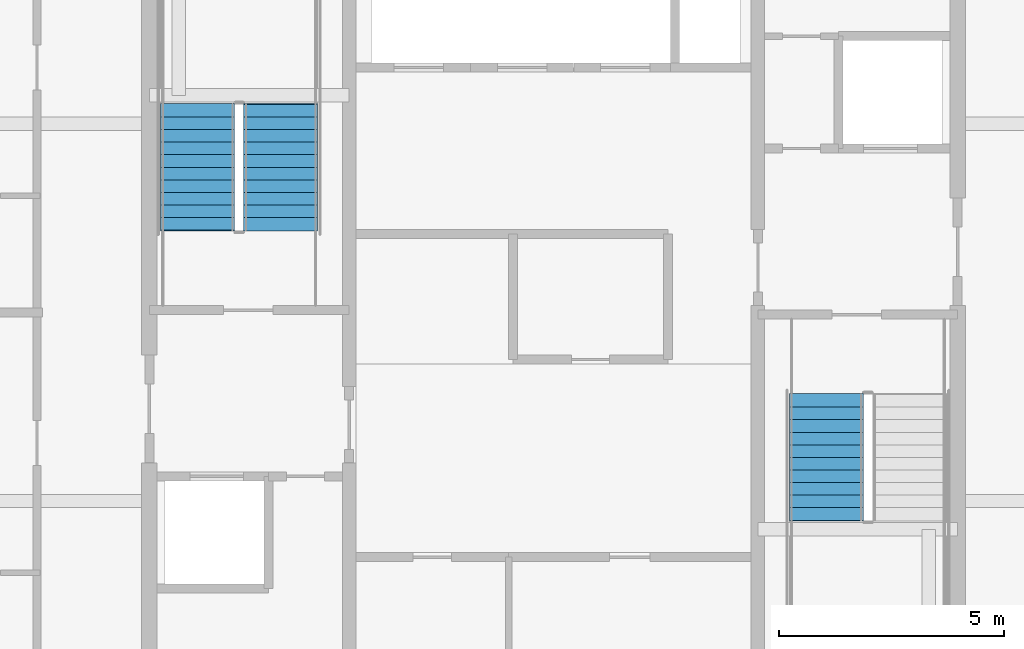
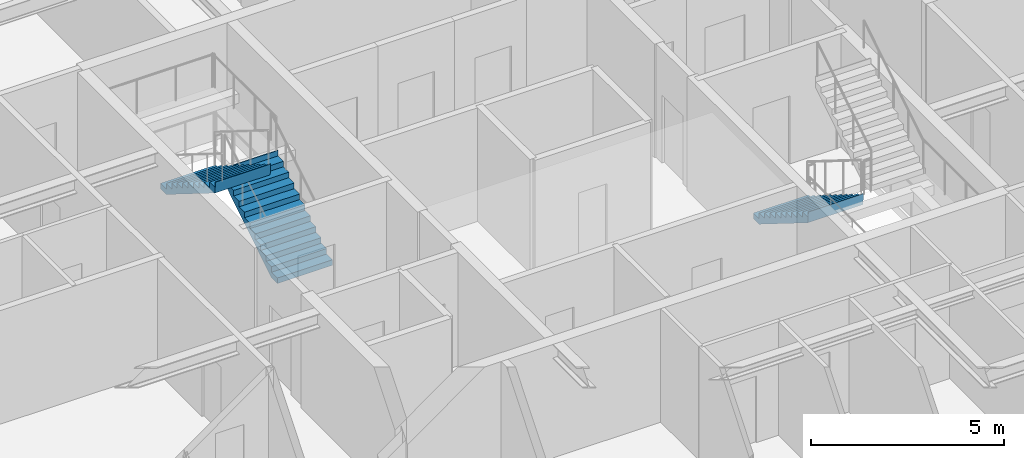
# One storey, part 31 of 38: 3 stair flights, 2 elements without a shape of their own.
"""IFC4 building model written with IfcOpenShell, lengths in metres."""

from ifc_helpers import new_model, si_unit, direction, frame, origin, place, context, subcontext, project, spatial, polygons, material, type_object, element, aggregate, save


model = new_model("IFC4")

# Units and contexts
model_context = context("Model", 3, precision=1e-05, world=origin(), true_north=direction((0.0, 1.0)))
body_context = subcontext(model_context, "Body", "Model", "MODEL_VIEW")
ifc_project = project(units=[si_unit("LENGTHUNIT", "METRE"), si_unit("AREAUNIT", "SQUARE_METRE"), si_unit("VOLUMEUNIT", "CUBIC_METRE"), si_unit("PLANEANGLEUNIT", "RADIAN"), si_unit("MASSUNIT", "GRAM", prefix="KILO")], contexts=[model_context])

# Site, building, storey
site_placement = place(None, origin())
site = spatial("IfcSite", under=ifc_project, at=site_placement, CompositionType="ELEMENT")
building_placement = place(site_placement, origin())
building = spatial("IfcBuilding", under=site, at=building_placement, Name="Serunith Strait Residences", CompositionType="ELEMENT")
storey_placement = place(building_placement, frame((0.0, 0.0, 241.25)))
storey = spatial("IfcBuildingStorey", under=building, at=storey_placement, Name="L60", CompositionType="ELEMENT", Elevation=241.25)

# Stair, stair flights
ifc_material = material(Name="Concrete C50/60", Category="concrete")
stair_type_1 = type_object("IfcStairType", Name="STR-CORE-1", PredefinedType="HALF_TURN_STAIR", material=ifc_material)
stair_1_placement = place(storey_placement, origin())
stair_1 = element("IfcStair", 1, at=stair_1_placement, inside=storey, type_object=stair_type_1, Name="L60 Protected Escape Stair ST-1", PredefinedType="HALF_TURN_STAIR")
stair_flight_type_1 = type_object("IfcStairFlightType", Name="FLT-CORE-1", PredefinedType="STRAIGHT", material=ifc_material)
stair_flight_1_placement = place(storey_placement, frame((26.324951171875, 27.030029296875, 0.0), z_axis=(0.0, 0.0, 1.0), x_axis=(0.0, 1.0, 0.0)))
stair_flight_1 = element("IfcStairFlight", 2, at=stair_flight_1_placement, type_object=stair_flight_type_1, Name="ST-1 flight 1", NumberOfRisers=11, NumberOfTreads=10, PredefinedType="STRAIGHT", RiserHeight=0.175, TreadLength=0.28, context=body_context, shape_type="Tessellation", body=[
    polygons([(-0.02001953125, -0.824951171875, 0.0), (-0.02001953125, -0.824951171875, 0.175048828125), (0.280029296875, -0.824951171875, 0.175048828125), (0.280029296875, -0.824951171875, 0.35009765625), (0.56005859375, -0.824951171875, 0.35009765625), (0.56005859375, -0.824951171875, 0.52490234375), (0.840087890625, -0.824951171875, 0.52490234375), (0.840087890625, -0.824951171875, 0.699951171875), (1.1201171875, -0.824951171875, 0.699951171875), (1.1201171875, -0.824951171875, 0.875), (1.39990234375, -0.824951171875, 0.875), (1.39990234375, -0.824951171875, 1.050048828125), (1.679931640625, -0.824951171875, 1.050048828125), (1.679931640625, -0.824951171875, 1.22509765625), (1.9599609375, -0.824951171875, 1.22509765625), (1.9599609375, -0.824951171875, 1.39990234375), (2.239990234375, -0.824951171875, 1.39990234375), (2.239990234375, -0.824951171875, 1.574951171875), (2.52001953125, -0.824951171875, 1.574951171875), (2.52001953125, -0.824951171875, 1.75), (2.800048828125, -0.824951171875, 1.75), (2.800048828125, -0.824951171875, 1.925048828125), (2.820068359375, -0.824951171875, 1.925048828125), (2.820068359375, -0.824951171875, 1.864990234375), (2.800048828125, -0.824951171875, 1.5732421875), (0.28271484375, -0.824951171875, 0.0), (-0.02001953125, -0.41259765625, 0.0), (-0.02001953125, -0.41259765625, 0.175048828125), (0.280029296875, -0.41259765625, 0.175048828125), (0.280029296875, -0.41259765625, 0.35009765625), (0.56005859375, -0.41259765625, 0.35009765625), (0.56005859375, -0.41259765625, 0.52490234375), (0.840087890625, -0.41259765625, 0.52490234375), (0.840087890625, -0.41259765625, 0.699951171875), (1.1201171875, -0.41259765625, 0.699951171875), (1.1201171875, -0.41259765625, 0.875), (1.39990234375, -0.41259765625, 0.875), (1.39990234375, -0.41259765625, 1.050048828125), (1.679931640625, -0.41259765625, 1.050048828125), (1.679931640625, -0.41259765625, 1.22509765625), (1.9599609375, -0.41259765625, 1.22509765625), (1.9599609375, -0.41259765625, 1.39990234375), (2.239990234375, -0.41259765625, 1.39990234375), (2.239990234375, -0.41259765625, 1.574951171875), (2.52001953125, -0.41259765625, 1.574951171875), (2.52001953125, -0.41259765625, 1.75), (2.800048828125, -0.41259765625, 1.75), (2.800048828125, -0.41259765625, 1.925048828125), (2.820068359375, -0.41259765625, 1.925048828125), (2.820068359375, -0.41259765625, 1.864990234375), (2.800048828125, -0.41259765625, 1.5732421875), (0.28271484375, -0.41259765625, 0.0), (-0.02001953125, 0.0, 0.0), (-0.02001953125, 0.0, 0.175048828125), (0.280029296875, 0.0, 0.175048828125), (0.280029296875, 0.0, 0.35009765625), (0.56005859375, 0.0, 0.35009765625), (0.56005859375, 0.0, 0.52490234375), (0.840087890625, 0.0, 0.52490234375), (0.840087890625, 0.0, 0.699951171875), (1.1201171875, 0.0, 0.699951171875), (1.1201171875, 0.0, 0.875), (1.39990234375, 0.0, 0.875), (1.39990234375, 0.0, 1.050048828125), (1.679931640625, 0.0, 1.050048828125), (1.679931640625, 0.0, 1.22509765625), (1.9599609375, 0.0, 1.22509765625), (1.9599609375, 0.0, 1.39990234375), (2.239990234375, 0.0, 1.39990234375), (2.239990234375, 0.0, 1.574951171875), (2.52001953125, 0.0, 1.574951171875), (2.52001953125, 0.0, 1.75), (2.800048828125, 0.0, 1.75), (2.800048828125, 0.0, 1.925048828125), (2.820068359375, 0.0, 1.925048828125), (2.820068359375, 0.0, 1.864990234375), (2.800048828125, 0.0, 1.5732421875), (0.28271484375, 0.0, 0.0), (-0.02001953125, 0.41259765625, 0.0), (-0.02001953125, 0.41259765625, 0.175048828125), (0.280029296875, 0.41259765625, 0.175048828125), (0.280029296875, 0.41259765625, 0.35009765625), (0.56005859375, 0.41259765625, 0.35009765625), (0.56005859375, 0.41259765625, 0.52490234375), (0.840087890625, 0.41259765625, 0.52490234375), (0.840087890625, 0.41259765625, 0.699951171875), (1.1201171875, 0.41259765625, 0.699951171875), (1.1201171875, 0.41259765625, 0.875), (1.39990234375, 0.41259765625, 0.875), (1.39990234375, 0.41259765625, 1.050048828125), (1.679931640625, 0.41259765625, 1.050048828125), (1.679931640625, 0.41259765625, 1.22509765625), (1.9599609375, 0.41259765625, 1.22509765625), (1.9599609375, 0.41259765625, 1.39990234375), (2.239990234375, 0.41259765625, 1.39990234375), (2.239990234375, 0.41259765625, 1.574951171875), (2.52001953125, 0.41259765625, 1.574951171875), (2.52001953125, 0.41259765625, 1.75), (2.800048828125, 0.41259765625, 1.75), (2.800048828125, 0.41259765625, 1.925048828125), (2.820068359375, 0.41259765625, 1.925048828125), (2.820068359375, 0.41259765625, 1.864990234375), (2.800048828125, 0.41259765625, 1.5732421875), (0.28271484375, 0.41259765625, 0.0), (-0.02001953125, 0.824951171875, 0.0), (-0.02001953125, 0.824951171875, 0.175048828125), (0.280029296875, 0.824951171875, 0.175048828125), (0.280029296875, 0.824951171875, 0.35009765625), (0.56005859375, 0.824951171875, 0.35009765625), (0.56005859375, 0.824951171875, 0.52490234375), (0.840087890625, 0.824951171875, 0.52490234375), (0.840087890625, 0.824951171875, 0.699951171875), (1.1201171875, 0.824951171875, 0.699951171875), (1.1201171875, 0.824951171875, 0.875), (1.39990234375, 0.824951171875, 0.875), (1.39990234375, 0.824951171875, 1.050048828125), (1.679931640625, 0.824951171875, 1.050048828125), (1.679931640625, 0.824951171875, 1.22509765625), (1.9599609375, 0.824951171875, 1.22509765625), (1.9599609375, 0.824951171875, 1.39990234375), (2.239990234375, 0.824951171875, 1.39990234375), (2.239990234375, 0.824951171875, 1.574951171875), (2.52001953125, 0.824951171875, 1.574951171875), (2.52001953125, 0.824951171875, 1.75), (2.800048828125, 0.824951171875, 1.75), (2.800048828125, 0.824951171875, 1.925048828125), (2.820068359375, 0.824951171875, 1.925048828125), (2.820068359375, 0.824951171875, 1.864990234375), (2.800048828125, 0.824951171875, 1.5732421875), (0.28271484375, 0.824951171875, 0.0)], [[[1, 2, 28, 27]], [[2, 3, 29, 28]], [[3, 4, 30, 29]], [[4, 5, 31, 30]], [[5, 6, 32, 31]], [[6, 7, 33, 32]], [[7, 8, 34, 33]], [[8, 9, 35, 34]], [[9, 10, 36, 35]], [[10, 11, 37, 36]], [[11, 12, 38, 37]], [[12, 13, 39, 38]], [[13, 14, 40, 39]], [[14, 15, 41, 40]], [[15, 16, 42, 41]], [[16, 17, 43, 42]], [[17, 18, 44, 43]], [[18, 19, 45, 44]], [[19, 20, 46, 45]], [[20, 21, 47, 46]], [[21, 22, 48, 47]], [[22, 23, 49, 48]], [[23, 24, 50, 49]], [[24, 25, 51, 50]], [[25, 26, 52, 51]], [[26, 1, 27, 52]], [[27, 28, 54, 53]], [[28, 29, 55, 54]], [[29, 30, 56, 55]], [[30, 31, 57, 56]], [[31, 32, 58, 57]], [[32, 33, 59, 58]], [[33, 34, 60, 59]], [[34, 35, 61, 60]], [[35, 36, 62, 61]], [[36, 37, 63, 62]], [[37, 38, 64, 63]], [[38, 39, 65, 64]], [[39, 40, 66, 65]], [[40, 41, 67, 66]], [[41, 42, 68, 67]], [[42, 43, 69, 68]], [[43, 44, 70, 69]], [[44, 45, 71, 70]], [[45, 46, 72, 71]], [[46, 47, 73, 72]], [[47, 48, 74, 73]], [[48, 49, 75, 74]], [[49, 50, 76, 75]], [[50, 51, 77, 76]], [[51, 52, 78, 77]], [[52, 27, 53, 78]], [[53, 54, 80, 79]], [[54, 55, 81, 80]], [[55, 56, 82, 81]], [[56, 57, 83, 82]], [[57, 58, 84, 83]], [[58, 59, 85, 84]], [[59, 60, 86, 85]], [[60, 61, 87, 86]], [[61, 62, 88, 87]], [[62, 63, 89, 88]], [[63, 64, 90, 89]], [[64, 65, 91, 90]], [[65, 66, 92, 91]], [[66, 67, 93, 92]], [[67, 68, 94, 93]], [[68, 69, 95, 94]], [[69, 70, 96, 95]], [[70, 71, 97, 96]], [[71, 72, 98, 97]], [[72, 73, 99, 98]], [[73, 74, 100, 99]], [[74, 75, 101, 100]], [[75, 76, 102, 101]], [[76, 77, 103, 102]], [[77, 78, 104, 103]], [[78, 53, 79, 104]], [[79, 80, 106, 105]], [[80, 81, 107, 106]], [[81, 82, 108, 107]], [[82, 83, 109, 108]], [[83, 84, 110, 109]], [[84, 85, 111, 110]], [[85, 86, 112, 111]], [[86, 87, 113, 112]], [[87, 88, 114, 113]], [[88, 89, 115, 114]], [[89, 90, 116, 115]], [[90, 91, 117, 116]], [[91, 92, 118, 117]], [[92, 93, 119, 118]], [[93, 94, 120, 119]], [[94, 95, 121, 120]], [[95, 96, 122, 121]], [[96, 97, 123, 122]], [[97, 98, 124, 123]], [[98, 99, 125, 124]], [[99, 100, 126, 125]], [[100, 101, 127, 126]], [[101, 102, 128, 127]], [[102, 103, 129, 128]], [[103, 104, 130, 129]], [[104, 79, 105, 130]], [[26, 25, 24, 23, 22, 21, 20, 19, 18, 17, 16, 15, 14, 13, 12, 11, 10, 9, 8, 7, 6, 5, 4, 3, 2, 1]], [[105, 106, 107, 108, 109, 110, 111, 112, 113, 114, 115, 116, 117, 118, 119, 120, 121, 122, 123, 124, 125, 126, 127, 128, 129, 130]]], closed=True),
])
stair_flight_2_placement = place(storey_placement, frame((24.47509765625, 29.830078125, 1.925048828125), z_axis=(0.0, 0.0, 1.0), x_axis=(0.0, -1.0, 0.0)))
stair_flight_2 = element("IfcStairFlight", 3, at=stair_flight_2_placement, type_object=stair_flight_type_1, Name="ST-1 flight 2", NumberOfRisers=11, NumberOfTreads=10, PredefinedType="STRAIGHT", RiserHeight=0.175, TreadLength=0.28, context=body_context, shape_type="Tessellation", body=[
    polygons([(-0.02001953125, -0.824951171875, 0.0), (-0.02001953125, -0.824951171875, 0.175048828125), (0.280029296875, -0.824951171875, 0.175048828125), (0.280029296875, -0.824951171875, 0.35009765625), (0.56005859375, -0.824951171875, 0.35009765625), (0.56005859375, -0.824951171875, 0.52490234375), (0.840087890625, -0.824951171875, 0.52490234375), (0.840087890625, -0.824951171875, 0.699951171875), (1.1201171875, -0.824951171875, 0.699951171875), (1.1201171875, -0.824951171875, 0.875), (1.39990234375, -0.824951171875, 0.875), (1.39990234375, -0.824951171875, 1.050048828125), (1.679931640625, -0.824951171875, 1.050048828125), (1.679931640625, -0.824951171875, 1.22509765625), (1.9599609375, -0.824951171875, 1.22509765625), (1.9599609375, -0.824951171875, 1.39990234375), (2.239990234375, -0.824951171875, 1.39990234375), (2.239990234375, -0.824951171875, 1.574951171875), (2.52001953125, -0.824951171875, 1.574951171875), (2.52001953125, -0.824951171875, 1.75), (2.800048828125, -0.824951171875, 1.75), (2.800048828125, -0.824951171875, 1.925048828125), (2.820068359375, -0.824951171875, 1.925048828125), (2.820068359375, -0.824951171875, 1.864990234375), (2.800048828125, -0.824951171875, 1.5732421875), (0.28271484375, -0.824951171875, 0.0), (-0.02001953125, -0.41259765625, 0.0), (-0.02001953125, -0.41259765625, 0.175048828125), (0.280029296875, -0.41259765625, 0.175048828125), (0.280029296875, -0.41259765625, 0.35009765625), (0.56005859375, -0.41259765625, 0.35009765625), (0.56005859375, -0.41259765625, 0.52490234375), (0.840087890625, -0.41259765625, 0.52490234375), (0.840087890625, -0.41259765625, 0.699951171875), (1.1201171875, -0.41259765625, 0.699951171875), (1.1201171875, -0.41259765625, 0.875), (1.39990234375, -0.41259765625, 0.875), (1.39990234375, -0.41259765625, 1.050048828125), (1.679931640625, -0.41259765625, 1.050048828125), (1.679931640625, -0.41259765625, 1.22509765625), (1.9599609375, -0.41259765625, 1.22509765625), (1.9599609375, -0.41259765625, 1.39990234375), (2.239990234375, -0.41259765625, 1.39990234375), (2.239990234375, -0.41259765625, 1.574951171875), (2.52001953125, -0.41259765625, 1.574951171875), (2.52001953125, -0.41259765625, 1.75), (2.800048828125, -0.41259765625, 1.75), (2.800048828125, -0.41259765625, 1.925048828125), (2.820068359375, -0.41259765625, 1.925048828125), (2.820068359375, -0.41259765625, 1.864990234375), (2.800048828125, -0.41259765625, 1.5732421875), (0.28271484375, -0.41259765625, 0.0), (-0.02001953125, 0.0, 0.0), (-0.02001953125, 0.0, 0.175048828125), (0.280029296875, 0.0, 0.175048828125), (0.280029296875, 0.0, 0.35009765625), (0.56005859375, 0.0, 0.35009765625), (0.56005859375, 0.0, 0.52490234375), (0.840087890625, 0.0, 0.52490234375), (0.840087890625, 0.0, 0.699951171875), (1.1201171875, 0.0, 0.699951171875), (1.1201171875, 0.0, 0.875), (1.39990234375, 0.0, 0.875), (1.39990234375, 0.0, 1.050048828125), (1.679931640625, 0.0, 1.050048828125), (1.679931640625, 0.0, 1.22509765625), (1.9599609375, 0.0, 1.22509765625), (1.9599609375, 0.0, 1.39990234375), (2.239990234375, 0.0, 1.39990234375), (2.239990234375, 0.0, 1.574951171875), (2.52001953125, 0.0, 1.574951171875), (2.52001953125, 0.0, 1.75), (2.800048828125, 0.0, 1.75), (2.800048828125, 0.0, 1.925048828125), (2.820068359375, 0.0, 1.925048828125), (2.820068359375, 0.0, 1.864990234375), (2.800048828125, 0.0, 1.5732421875), (0.28271484375, 0.0, 0.0), (-0.02001953125, 0.41259765625, 0.0), (-0.02001953125, 0.41259765625, 0.175048828125), (0.280029296875, 0.41259765625, 0.175048828125), (0.280029296875, 0.41259765625, 0.35009765625), (0.56005859375, 0.41259765625, 0.35009765625), (0.56005859375, 0.41259765625, 0.52490234375), (0.840087890625, 0.41259765625, 0.52490234375), (0.840087890625, 0.41259765625, 0.699951171875), (1.1201171875, 0.41259765625, 0.699951171875), (1.1201171875, 0.41259765625, 0.875), (1.39990234375, 0.41259765625, 0.875), (1.39990234375, 0.41259765625, 1.050048828125), (1.679931640625, 0.41259765625, 1.050048828125), (1.679931640625, 0.41259765625, 1.22509765625), (1.9599609375, 0.41259765625, 1.22509765625), (1.9599609375, 0.41259765625, 1.39990234375), (2.239990234375, 0.41259765625, 1.39990234375), (2.239990234375, 0.41259765625, 1.574951171875), (2.52001953125, 0.41259765625, 1.574951171875), (2.52001953125, 0.41259765625, 1.75), (2.800048828125, 0.41259765625, 1.75), (2.800048828125, 0.41259765625, 1.925048828125), (2.820068359375, 0.41259765625, 1.925048828125), (2.820068359375, 0.41259765625, 1.864990234375), (2.800048828125, 0.41259765625, 1.5732421875), (0.28271484375, 0.41259765625, 0.0), (-0.02001953125, 0.824951171875, 0.0), (-0.02001953125, 0.824951171875, 0.175048828125), (0.280029296875, 0.824951171875, 0.175048828125), (0.280029296875, 0.824951171875, 0.35009765625), (0.56005859375, 0.824951171875, 0.35009765625), (0.56005859375, 0.824951171875, 0.52490234375), (0.840087890625, 0.824951171875, 0.52490234375), (0.840087890625, 0.824951171875, 0.699951171875), (1.1201171875, 0.824951171875, 0.699951171875), (1.1201171875, 0.824951171875, 0.875), (1.39990234375, 0.824951171875, 0.875), (1.39990234375, 0.824951171875, 1.050048828125), (1.679931640625, 0.824951171875, 1.050048828125), (1.679931640625, 0.824951171875, 1.22509765625), (1.9599609375, 0.824951171875, 1.22509765625), (1.9599609375, 0.824951171875, 1.39990234375), (2.239990234375, 0.824951171875, 1.39990234375), (2.239990234375, 0.824951171875, 1.574951171875), (2.52001953125, 0.824951171875, 1.574951171875), (2.52001953125, 0.824951171875, 1.75), (2.800048828125, 0.824951171875, 1.75), (2.800048828125, 0.824951171875, 1.925048828125), (2.820068359375, 0.824951171875, 1.925048828125), (2.820068359375, 0.824951171875, 1.864990234375), (2.800048828125, 0.824951171875, 1.5732421875), (0.28271484375, 0.824951171875, 0.0)], [[[1, 2, 28, 27]], [[2, 3, 29, 28]], [[3, 4, 30, 29]], [[4, 5, 31, 30]], [[5, 6, 32, 31]], [[6, 7, 33, 32]], [[7, 8, 34, 33]], [[8, 9, 35, 34]], [[9, 10, 36, 35]], [[10, 11, 37, 36]], [[11, 12, 38, 37]], [[12, 13, 39, 38]], [[13, 14, 40, 39]], [[14, 15, 41, 40]], [[15, 16, 42, 41]], [[16, 17, 43, 42]], [[17, 18, 44, 43]], [[18, 19, 45, 44]], [[19, 20, 46, 45]], [[20, 21, 47, 46]], [[21, 22, 48, 47]], [[22, 23, 49, 48]], [[23, 24, 50, 49]], [[24, 25, 51, 50]], [[25, 26, 52, 51]], [[26, 1, 27, 52]], [[27, 28, 54, 53]], [[28, 29, 55, 54]], [[29, 30, 56, 55]], [[30, 31, 57, 56]], [[31, 32, 58, 57]], [[32, 33, 59, 58]], [[33, 34, 60, 59]], [[34, 35, 61, 60]], [[35, 36, 62, 61]], [[36, 37, 63, 62]], [[37, 38, 64, 63]], [[38, 39, 65, 64]], [[39, 40, 66, 65]], [[40, 41, 67, 66]], [[41, 42, 68, 67]], [[42, 43, 69, 68]], [[43, 44, 70, 69]], [[44, 45, 71, 70]], [[45, 46, 72, 71]], [[46, 47, 73, 72]], [[47, 48, 74, 73]], [[48, 49, 75, 74]], [[49, 50, 76, 75]], [[50, 51, 77, 76]], [[51, 52, 78, 77]], [[52, 27, 53, 78]], [[53, 54, 80, 79]], [[54, 55, 81, 80]], [[55, 56, 82, 81]], [[56, 57, 83, 82]], [[57, 58, 84, 83]], [[58, 59, 85, 84]], [[59, 60, 86, 85]], [[60, 61, 87, 86]], [[61, 62, 88, 87]], [[62, 63, 89, 88]], [[63, 64, 90, 89]], [[64, 65, 91, 90]], [[65, 66, 92, 91]], [[66, 67, 93, 92]], [[67, 68, 94, 93]], [[68, 69, 95, 94]], [[69, 70, 96, 95]], [[70, 71, 97, 96]], [[71, 72, 98, 97]], [[72, 73, 99, 98]], [[73, 74, 100, 99]], [[74, 75, 101, 100]], [[75, 76, 102, 101]], [[76, 77, 103, 102]], [[77, 78, 104, 103]], [[78, 53, 79, 104]], [[79, 80, 106, 105]], [[80, 81, 107, 106]], [[81, 82, 108, 107]], [[82, 83, 109, 108]], [[83, 84, 110, 109]], [[84, 85, 111, 110]], [[85, 86, 112, 111]], [[86, 87, 113, 112]], [[87, 88, 114, 113]], [[88, 89, 115, 114]], [[89, 90, 116, 115]], [[90, 91, 117, 116]], [[91, 92, 118, 117]], [[92, 93, 119, 118]], [[93, 94, 120, 119]], [[94, 95, 121, 120]], [[95, 96, 122, 121]], [[96, 97, 123, 122]], [[97, 98, 124, 123]], [[98, 99, 125, 124]], [[99, 100, 126, 125]], [[100, 101, 127, 126]], [[101, 102, 128, 127]], [[102, 103, 129, 128]], [[103, 104, 130, 129]], [[104, 79, 105, 130]], [[26, 25, 24, 23, 22, 21, 20, 19, 18, 17, 16, 15, 14, 13, 12, 11, 10, 9, 8, 7, 6, 5, 4, 3, 2, 1]], [[105, 106, 107, 108, 109, 110, 111, 112, 113, 114, 115, 116, 117, 118, 119, 120, 121, 122, 123, 124, 125, 126, 127, 128, 129, 130]]], closed=True),
])
aggregate(stair_1, [stair_flight_1, stair_flight_2])

# Stair, stair flight
stair_type_2 = type_object("IfcStairType", Name="STR-CORE-2", PredefinedType="HALF_TURN_STAIR", material=ifc_material)
stair_2_placement = place(storey_placement, origin())
stair_2 = element("IfcStair", 4, at=stair_2_placement, inside=storey, type_object=stair_type_2, Name="L60 Protected Escape Stair ST-2", PredefinedType="HALF_TURN_STAIR")
stair_flight_type_2 = type_object("IfcStairFlightType", Name="FLT-CORE-2", PredefinedType="STRAIGHT", material=ifc_material)
stair_flight_3_placement = place(storey_placement, frame((38.47509765625, 23.3701171875, 0.0), z_axis=(0.0, 0.0, 1.0), x_axis=(0.0, -1.0, 0.0)))
stair_flight_3 = element("IfcStairFlight", 5, at=stair_flight_3_placement, type_object=stair_flight_type_2, Name="ST-2 flight 1", NumberOfRisers=11, NumberOfTreads=10, PredefinedType="STRAIGHT", RiserHeight=0.175, TreadLength=0.28, context=body_context, shape_type="Tessellation", body=[
    polygons([(-0.02001953125, -0.824951171875, 0.0), (-0.02001953125, -0.824951171875, 0.175048828125), (0.280029296875, -0.824951171875, 0.175048828125), (0.280029296875, -0.824951171875, 0.35009765625), (0.56005859375, -0.824951171875, 0.35009765625), (0.56005859375, -0.824951171875, 0.52490234375), (0.840087890625, -0.824951171875, 0.52490234375), (0.840087890625, -0.824951171875, 0.699951171875), (1.1201171875, -0.824951171875, 0.699951171875), (1.1201171875, -0.824951171875, 0.875), (1.39990234375, -0.824951171875, 0.875), (1.39990234375, -0.824951171875, 1.050048828125), (1.679931640625, -0.824951171875, 1.050048828125), (1.679931640625, -0.824951171875, 1.22509765625), (1.9599609375, -0.824951171875, 1.22509765625), (1.9599609375, -0.824951171875, 1.39990234375), (2.239990234375, -0.824951171875, 1.39990234375), (2.239990234375, -0.824951171875, 1.574951171875), (2.52001953125, -0.824951171875, 1.574951171875), (2.52001953125, -0.824951171875, 1.75), (2.800048828125, -0.824951171875, 1.75), (2.800048828125, -0.824951171875, 1.925048828125), (2.820068359375, -0.824951171875, 1.925048828125), (2.820068359375, -0.824951171875, 1.864990234375), (2.800048828125, -0.824951171875, 1.5732421875), (0.28271484375, -0.824951171875, 0.0), (-0.02001953125, -0.41259765625, 0.0), (-0.02001953125, -0.41259765625, 0.175048828125), (0.280029296875, -0.41259765625, 0.175048828125), (0.280029296875, -0.41259765625, 0.35009765625), (0.56005859375, -0.41259765625, 0.35009765625), (0.56005859375, -0.41259765625, 0.52490234375), (0.840087890625, -0.41259765625, 0.52490234375), (0.840087890625, -0.41259765625, 0.699951171875), (1.1201171875, -0.41259765625, 0.699951171875), (1.1201171875, -0.41259765625, 0.875), (1.39990234375, -0.41259765625, 0.875), (1.39990234375, -0.41259765625, 1.050048828125), (1.679931640625, -0.41259765625, 1.050048828125), (1.679931640625, -0.41259765625, 1.22509765625), (1.9599609375, -0.41259765625, 1.22509765625), (1.9599609375, -0.41259765625, 1.39990234375), (2.239990234375, -0.41259765625, 1.39990234375), (2.239990234375, -0.41259765625, 1.574951171875), (2.52001953125, -0.41259765625, 1.574951171875), (2.52001953125, -0.41259765625, 1.75), (2.800048828125, -0.41259765625, 1.75), (2.800048828125, -0.41259765625, 1.925048828125), (2.820068359375, -0.41259765625, 1.925048828125), (2.820068359375, -0.41259765625, 1.864990234375), (2.800048828125, -0.41259765625, 1.5732421875), (0.28271484375, -0.41259765625, 0.0), (-0.02001953125, 0.0, 0.0), (-0.02001953125, 0.0, 0.175048828125), (0.280029296875, 0.0, 0.175048828125), (0.280029296875, 0.0, 0.35009765625), (0.56005859375, 0.0, 0.35009765625), (0.56005859375, 0.0, 0.52490234375), (0.840087890625, 0.0, 0.52490234375), (0.840087890625, 0.0, 0.699951171875), (1.1201171875, 0.0, 0.699951171875), (1.1201171875, 0.0, 0.875), (1.39990234375, 0.0, 0.875), (1.39990234375, 0.0, 1.050048828125), (1.679931640625, 0.0, 1.050048828125), (1.679931640625, 0.0, 1.22509765625), (1.9599609375, 0.0, 1.22509765625), (1.9599609375, 0.0, 1.39990234375), (2.239990234375, 0.0, 1.39990234375), (2.239990234375, 0.0, 1.574951171875), (2.52001953125, 0.0, 1.574951171875), (2.52001953125, 0.0, 1.75), (2.800048828125, 0.0, 1.75), (2.800048828125, 0.0, 1.925048828125), (2.820068359375, 0.0, 1.925048828125), (2.820068359375, 0.0, 1.864990234375), (2.800048828125, 0.0, 1.5732421875), (0.28271484375, 0.0, 0.0), (-0.02001953125, 0.41259765625, 0.0), (-0.02001953125, 0.41259765625, 0.175048828125), (0.280029296875, 0.41259765625, 0.175048828125), (0.280029296875, 0.41259765625, 0.35009765625), (0.56005859375, 0.41259765625, 0.35009765625), (0.56005859375, 0.41259765625, 0.52490234375), (0.840087890625, 0.41259765625, 0.52490234375), (0.840087890625, 0.41259765625, 0.699951171875), (1.1201171875, 0.41259765625, 0.699951171875), (1.1201171875, 0.41259765625, 0.875), (1.39990234375, 0.41259765625, 0.875), (1.39990234375, 0.41259765625, 1.050048828125), (1.679931640625, 0.41259765625, 1.050048828125), (1.679931640625, 0.41259765625, 1.22509765625), (1.9599609375, 0.41259765625, 1.22509765625), (1.9599609375, 0.41259765625, 1.39990234375), (2.239990234375, 0.41259765625, 1.39990234375), (2.239990234375, 0.41259765625, 1.574951171875), (2.52001953125, 0.41259765625, 1.574951171875), (2.52001953125, 0.41259765625, 1.75), (2.800048828125, 0.41259765625, 1.75), (2.800048828125, 0.41259765625, 1.925048828125), (2.820068359375, 0.41259765625, 1.925048828125), (2.820068359375, 0.41259765625, 1.864990234375), (2.800048828125, 0.41259765625, 1.5732421875), (0.28271484375, 0.41259765625, 0.0), (-0.02001953125, 0.824951171875, 0.0), (-0.02001953125, 0.824951171875, 0.175048828125), (0.280029296875, 0.824951171875, 0.175048828125), (0.280029296875, 0.824951171875, 0.35009765625), (0.56005859375, 0.824951171875, 0.35009765625), (0.56005859375, 0.824951171875, 0.52490234375), (0.840087890625, 0.824951171875, 0.52490234375), (0.840087890625, 0.824951171875, 0.699951171875), (1.1201171875, 0.824951171875, 0.699951171875), (1.1201171875, 0.824951171875, 0.875), (1.39990234375, 0.824951171875, 0.875), (1.39990234375, 0.824951171875, 1.050048828125), (1.679931640625, 0.824951171875, 1.050048828125), (1.679931640625, 0.824951171875, 1.22509765625), (1.9599609375, 0.824951171875, 1.22509765625), (1.9599609375, 0.824951171875, 1.39990234375), (2.239990234375, 0.824951171875, 1.39990234375), (2.239990234375, 0.824951171875, 1.574951171875), (2.52001953125, 0.824951171875, 1.574951171875), (2.52001953125, 0.824951171875, 1.75), (2.800048828125, 0.824951171875, 1.75), (2.800048828125, 0.824951171875, 1.925048828125), (2.820068359375, 0.824951171875, 1.925048828125), (2.820068359375, 0.824951171875, 1.864990234375), (2.800048828125, 0.824951171875, 1.5732421875), (0.28271484375, 0.824951171875, 0.0)], [[[1, 2, 28, 27]], [[2, 3, 29, 28]], [[3, 4, 30, 29]], [[4, 5, 31, 30]], [[5, 6, 32, 31]], [[6, 7, 33, 32]], [[7, 8, 34, 33]], [[8, 9, 35, 34]], [[9, 10, 36, 35]], [[10, 11, 37, 36]], [[11, 12, 38, 37]], [[12, 13, 39, 38]], [[13, 14, 40, 39]], [[14, 15, 41, 40]], [[15, 16, 42, 41]], [[16, 17, 43, 42]], [[17, 18, 44, 43]], [[18, 19, 45, 44]], [[19, 20, 46, 45]], [[20, 21, 47, 46]], [[21, 22, 48, 47]], [[22, 23, 49, 48]], [[23, 24, 50, 49]], [[24, 25, 51, 50]], [[25, 26, 52, 51]], [[26, 1, 27, 52]], [[27, 28, 54, 53]], [[28, 29, 55, 54]], [[29, 30, 56, 55]], [[30, 31, 57, 56]], [[31, 32, 58, 57]], [[32, 33, 59, 58]], [[33, 34, 60, 59]], [[34, 35, 61, 60]], [[35, 36, 62, 61]], [[36, 37, 63, 62]], [[37, 38, 64, 63]], [[38, 39, 65, 64]], [[39, 40, 66, 65]], [[40, 41, 67, 66]], [[41, 42, 68, 67]], [[42, 43, 69, 68]], [[43, 44, 70, 69]], [[44, 45, 71, 70]], [[45, 46, 72, 71]], [[46, 47, 73, 72]], [[47, 48, 74, 73]], [[48, 49, 75, 74]], [[49, 50, 76, 75]], [[50, 51, 77, 76]], [[51, 52, 78, 77]], [[52, 27, 53, 78]], [[53, 54, 80, 79]], [[54, 55, 81, 80]], [[55, 56, 82, 81]], [[56, 57, 83, 82]], [[57, 58, 84, 83]], [[58, 59, 85, 84]], [[59, 60, 86, 85]], [[60, 61, 87, 86]], [[61, 62, 88, 87]], [[62, 63, 89, 88]], [[63, 64, 90, 89]], [[64, 65, 91, 90]], [[65, 66, 92, 91]], [[66, 67, 93, 92]], [[67, 68, 94, 93]], [[68, 69, 95, 94]], [[69, 70, 96, 95]], [[70, 71, 97, 96]], [[71, 72, 98, 97]], [[72, 73, 99, 98]], [[73, 74, 100, 99]], [[74, 75, 101, 100]], [[75, 76, 102, 101]], [[76, 77, 103, 102]], [[77, 78, 104, 103]], [[78, 53, 79, 104]], [[79, 80, 106, 105]], [[80, 81, 107, 106]], [[81, 82, 108, 107]], [[82, 83, 109, 108]], [[83, 84, 110, 109]], [[84, 85, 111, 110]], [[85, 86, 112, 111]], [[86, 87, 113, 112]], [[87, 88, 114, 113]], [[88, 89, 115, 114]], [[89, 90, 116, 115]], [[90, 91, 117, 116]], [[91, 92, 118, 117]], [[92, 93, 119, 118]], [[93, 94, 120, 119]], [[94, 95, 121, 120]], [[95, 96, 122, 121]], [[96, 97, 123, 122]], [[97, 98, 124, 123]], [[98, 99, 125, 124]], [[99, 100, 126, 125]], [[100, 101, 127, 126]], [[101, 102, 128, 127]], [[102, 103, 129, 128]], [[103, 104, 130, 129]], [[104, 79, 105, 130]], [[26, 25, 24, 23, 22, 21, 20, 19, 18, 17, 16, 15, 14, 13, 12, 11, 10, 9, 8, 7, 6, 5, 4, 3, 2, 1]], [[105, 106, 107, 108, 109, 110, 111, 112, 113, 114, 115, 116, 117, 118, 119, 120, 121, 122, 123, 124, 125, 126, 127, 128, 129, 130]]], closed=True),
])
aggregate(stair_2, [stair_flight_3])

save(model, "model.ifc")
